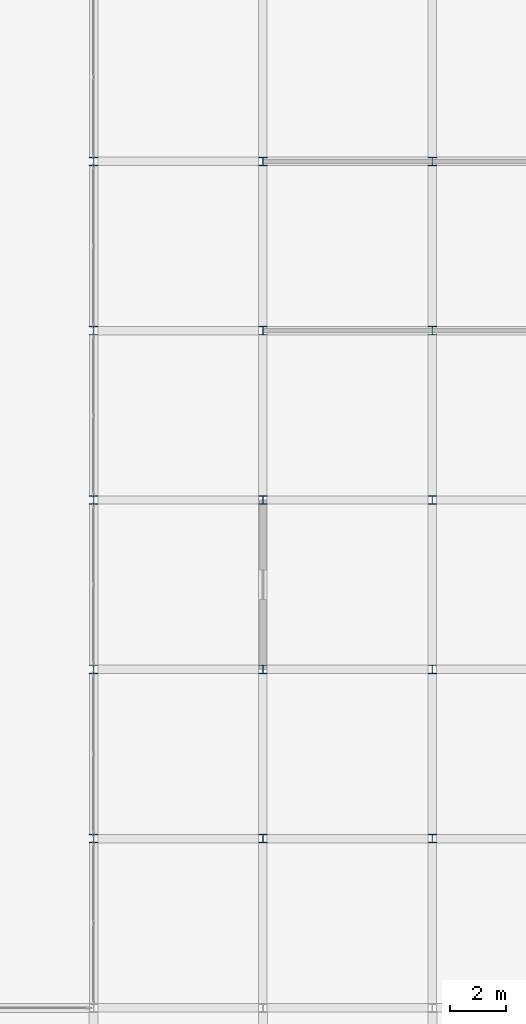
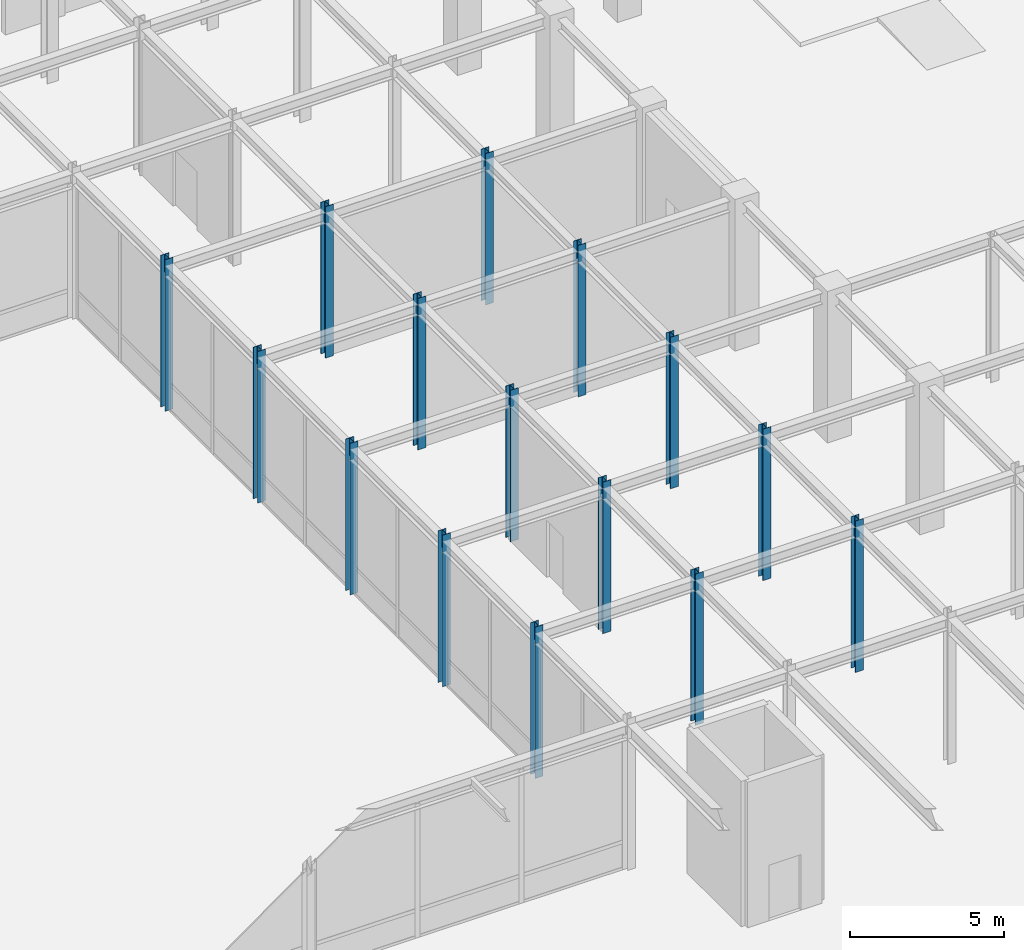
# One storey, part 6 of 108: 15 columns.
"""IFC4 building model written with IfcOpenShell, lengths in metres."""

from ifc_helpers import new_model, si_unit, direction, frame, origin, origin_2d, place, context, subcontext, project, spatial, i_section, extrude, material, material_profile, profile_set, type_object, element, save


model = new_model("IFC4")

# Units and contexts
model_context = context("Model", 3, precision=1e-05, world=origin(), true_north=direction((0.0, 1.0)))
body_context = subcontext(model_context, "Body", "Model", "MODEL_VIEW")
ifc_project = project(units=[si_unit("LENGTHUNIT", "METRE"), si_unit("AREAUNIT", "SQUARE_METRE"), si_unit("VOLUMEUNIT", "CUBIC_METRE"), si_unit("PLANEANGLEUNIT", "RADIAN"), si_unit("MASSUNIT", "GRAM", prefix="KILO")], contexts=[model_context])

# Site, building, storey
site_placement = place(None, origin())
site = spatial("IfcSite", under=ifc_project, at=site_placement, CompositionType="ELEMENT")
building_placement = place(site_placement, origin())
building = spatial("IfcBuilding", under=site, at=building_placement, Name="Zlatovratsky Civic Hall", CompositionType="ELEMENT")
storey_placement = place(building_placement, frame((0.0, 0.0, 6.0)))
storey = spatial("IfcBuildingStorey", under=building, at=storey_placement, Name="L02", CompositionType="ELEMENT", Elevation=6.0)

# Columns
ifc_material = material(Name="Steel S355", Category="steel")
ifc_material_profile = material_profile(ifc_material, i_section(OverallWidth=0.300048828125, OverallDepth=0.300048828125, WebThickness=0.010009765625, FlangeThickness=0.014892578125, FilletRadius=0.01806640625, at=origin_2d()), Name="30K2")
ifc_profile_set = profile_set([ifc_material_profile], Name="Steel S355")
column_type = type_object("IfcColumnType", Name="Col_Steel_30K2", PredefinedType="COLUMN", material=ifc_profile_set)
for number, where, z_axis, x_axis, name in (
    (1, (48.0, 36.0, 0.0), (0.0, 0.0, 1.0), (1.0, 0.0, 0.0), "CL-0905"),
    (2, (54.0, 36.0, 0.0), (0.0, 0.0, 1.0), (1.0, 0.0, 0.0), "CL-0906"),
    (3, (60.0, 36.0, 0.0), (0.0, 0.0, 1.0), (1.0, 0.0, 0.0), "CL-0907"),
    (4, (48.0, 42.0, 0.0), (0.0, 0.0, 1.0), (1.0, 0.0, 0.0), "CL-0924"),
    (5, (54.0, 42.0, 0.0), (0.0, 0.0, 1.0), (1.0, 0.0, 0.0), "CL-0925"),
    (6, (60.0, 42.0, 0.0), (0.0, 0.0, 1.0), (1.0, 0.0, 0.0), "CL-0926"),
    (7, (48.0, 48.0, 0.0), (0.0, 0.0, 1.0), (1.0, 0.0, 0.0), "CL-0943"),
    (8, (54.0, 48.0, 0.0), (0.0, 0.0, 1.0), (1.0, 0.0, 0.0), "CL-0944"),
    (9, (60.0, 48.0, 0.0), (0.0, 0.0, 1.0), (1.0, 0.0, 0.0), "CL-0945"),
    (10, (48.0, 54.0, 0.0), (0.0, 0.0, 1.0), (1.0, 0.0, 0.0), "CL-0962"),
    (11, (54.0, 54.0, 0.0), (0.0, 0.0, 1.0), (1.0, 0.0, 0.0), "CL-0963"),
    (12, (60.0, 54.0, 0.0), (0.0, 0.0, 1.0), (1.0, 0.0, 0.0), "CL-0964"),
    (13, (48.0, 60.0, 0.0), (0.0, 0.0, 1.0), (1.0, 0.0, 0.0), "CL-0976"),
    (14, (54.0, 60.0, 0.0), (0.0, 0.0, 1.0), (1.0, 0.0, 0.0), "CL-0977"),
    (15, (60.0, 60.0, 0.0), (0.0, 0.0, 1.0), (1.0, 0.0, 0.0), "CL-0978"),
):
    element("IfcColumn", number, at=place(storey_placement, frame(where, z_axis=z_axis, x_axis=x_axis)), inside=storey, type_object=column_type, Name=name, PredefinedType="COLUMN", context=body_context, shape_type="SweptSolid", body=[
        extrude(i_section(OverallWidth=0.300048828125, OverallDepth=0.300048828125, WebThickness=0.010009765625, FlangeThickness=0.014892578125, FilletRadius=0.01806640625, at=origin_2d()), origin(), (0.0, 0.0, 1.0), 6.0),
    ])

save(model, "model.ifc")
